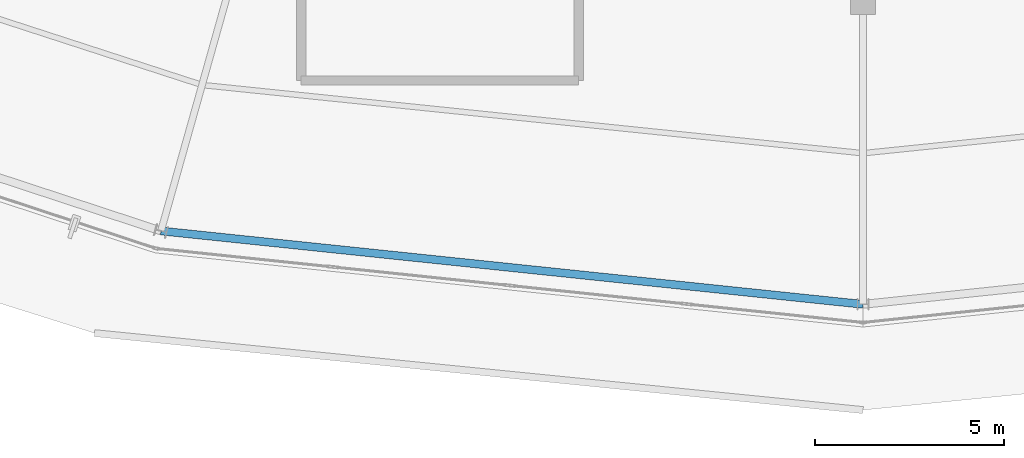
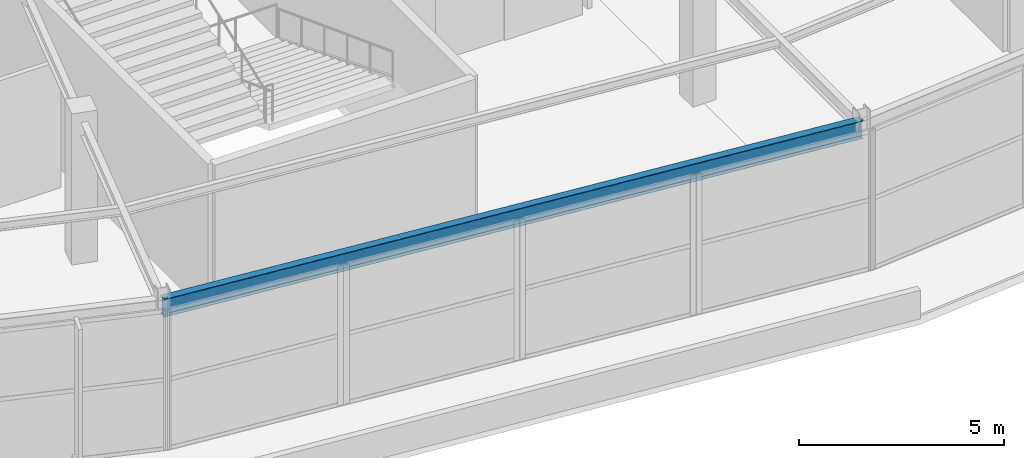
# One storey, part 34 of 126: 1 beam.
"""IFC4 building model written with IfcOpenShell, lengths in metres."""

from ifc_helpers import new_model, si_unit, direction, frame, origin, origin_2d, place, context, subcontext, project, spatial, i_section, extrude, material, material_profile, profile_set, type_object, element, save


model = new_model("IFC4")

# Units and contexts
model_context = context("Model", 3, precision=1e-05, world=origin(), true_north=direction((0.0, 1.0)))
body_context = subcontext(model_context, "Body", "Model", "MODEL_VIEW")
ifc_project = project(units=[si_unit("LENGTHUNIT", "METRE"), si_unit("AREAUNIT", "SQUARE_METRE"), si_unit("VOLUMEUNIT", "CUBIC_METRE"), si_unit("PLANEANGLEUNIT", "RADIAN"), si_unit("MASSUNIT", "GRAM", prefix="KILO")], contexts=[model_context])

# Site, building, storey
site_placement = place(None, origin())
site = spatial("IfcSite", under=ifc_project, at=site_placement, CompositionType="ELEMENT")
building_placement = place(site_placement, origin())
building = spatial("IfcBuilding", under=site, at=building_placement, Name="Kalgoora Escarpment Arena", CompositionType="ELEMENT")
storey_placement = place(building_placement, frame((0.0, 0.0, 18.89990234375)))
storey = spatial("IfcBuildingStorey", under=building, at=storey_placement, Name="L04", CompositionType="ELEMENT", Elevation=18.89990234375)

# Beam
ifc_material = material(Name="Structural steel AS/NZS 3679 (300 MPa)", Category="steel")
ifc_material_profile = material_profile(ifc_material, i_section(OverallWidth=0.208984375, OverallDepth=0.532958984375, WebThickness=0.01025390625, FlangeThickness=0.015625, at=origin_2d()))
ifc_profile_set = profile_set([ifc_material_profile], Name="Structural steel AS/NZS 3679 (300 MPa)")
beam_type = type_object("IfcBeamType", Name="BM-SPANDREL-530UB92.4", PredefinedType="SPANDREL", material=ifc_profile_set)
beam_placement = place(storey_placement, frame((73.81689453125, 8.942138671875, 3.943603515625), z_axis=(0.994583005347, -0.103945396599, 0.0), x_axis=(0.103945396599, 0.994583005347, 0.0)))
element("IfcBeam", 1, at=beam_placement, inside=storey, type_object=beam_type, Name="L04 Circumferential concourse girder RCONC2 530UB92.4", PredefinedType="SPANDREL", context=body_context, shape_type="SweptSolid", body=[
    extrude(i_section(OverallWidth=0.208984375, OverallDepth=0.532958984375, WebThickness=0.01025390625, FlangeThickness=0.015625, at=origin_2d()), origin(), (0.0, 0.0, 1.0), 18.684326171875),
])

save(model, "model.ifc")
